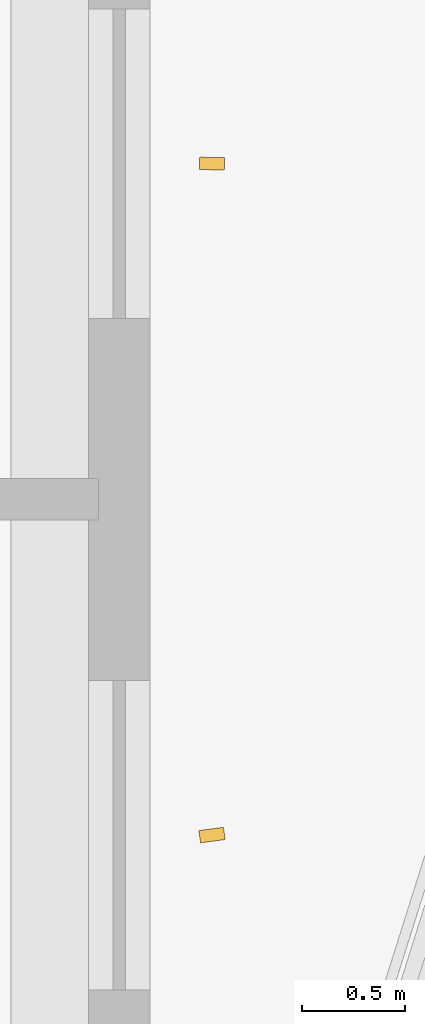
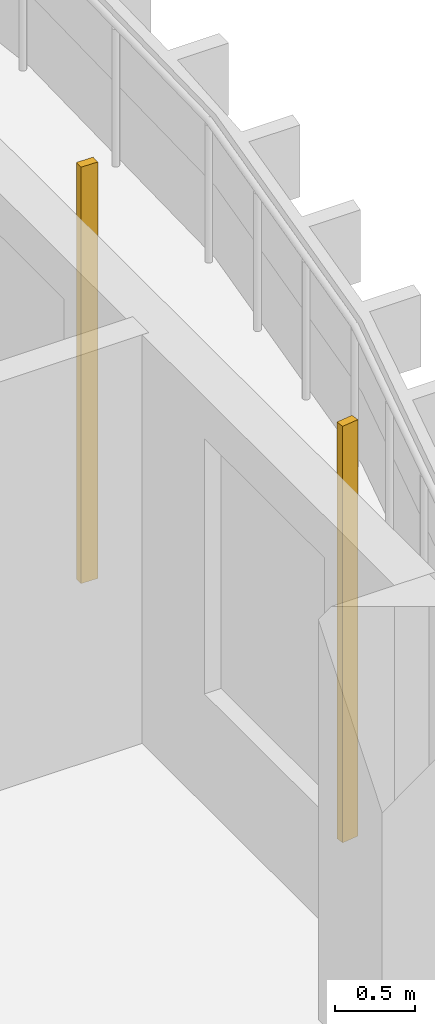
# One storey, part 19 of 23: 2 shading devices.
"""IFC4 building model written with IfcOpenShell, lengths in metres."""

from ifc_helpers import new_model, si_unit, direction, frame, origin, origin_2d, place, context, subcontext, project, spatial, rectangle, extrude, source, transform, mapped, material, material_profile, profile_set, type_object, element, save


model = new_model("IFC4")

# Units and contexts
model_context = context("Model", 3, precision=1e-05, world=origin(), true_north=direction((0.0, 1.0)))
body_context = subcontext(model_context, "Body", "Model", "MODEL_VIEW")
ifc_project = project(units=[si_unit("LENGTHUNIT", "METRE"), si_unit("AREAUNIT", "SQUARE_METRE"), si_unit("VOLUMEUNIT", "CUBIC_METRE"), si_unit("PLANEANGLEUNIT", "RADIAN"), si_unit("MASSUNIT", "GRAM", prefix="KILO")], contexts=[model_context])

# Site, building, storey
site_placement = place(None, origin())
site = spatial("IfcSite", under=ifc_project, at=site_placement, CompositionType="ELEMENT")
building_placement = place(site_placement, origin())
building = spatial("IfcBuilding", under=site, at=building_placement, Name="Kilnfold Tower and Market Hall", CompositionType="ELEMENT")
storey_placement = place(building_placement, frame((0.0, 0.0, 150.699951171875)))
storey = spatial("IfcBuildingStorey", under=building, at=storey_placement, Name="L34", CompositionType="ELEMENT", Elevation=150.699951171875)

# Shading devices
ifc_material = material(Name="Terracotta", Category="masonry")
ifc_material_profile = material_profile(ifc_material, rectangle(XDim=0.06005859375, YDim=0.1201171875, at=origin_2d()), Name="BAG 60x120")
ifc_profile_set = profile_set([ifc_material_profile], Name="Terracotta")
shading_device_type = type_object("IfcShadingDeviceType", Name="BAGUETTE", PredefinedType="USERDEFINED", material=ifc_profile_set)
shared_shape = source(origin(), body_context, "Body", "SweptSolid", [
    extrude(rectangle(XDim=0.06005859375, YDim=0.1201171875, at=origin_2d()), origin(), (0.0, 0.0, 1.0), 3.179931640625),
])
for number, where, z_axis, x_axis, name in (
    (1, (25.550048828125, 2.7158203125, 0.0), (0.0, 0.0, 1.0), (-0.134065746217, 0.990972439421, 0.0), "Terracotta baguette L34 E"),
    (2, (25.550048828125, 5.971923828125, 0.0), (0.0, 0.0, 1.0), (0.022683843813, 0.99974268851, 0.0), "Terracotta baguette L34 E"),
):
    element("IfcShadingDevice", number, at=place(storey_placement, frame(where, z_axis=z_axis, x_axis=x_axis)), inside=storey, type_object=shading_device_type, Name=name, ObjectType="BAGUETTE", PredefinedType="USERDEFINED", context=body_context, shape_type="MappedRepresentation", body=[
        mapped(shared_shape, transform((0.0, 0.0, 0.0))),
    ])

save(model, "model.ifc")
